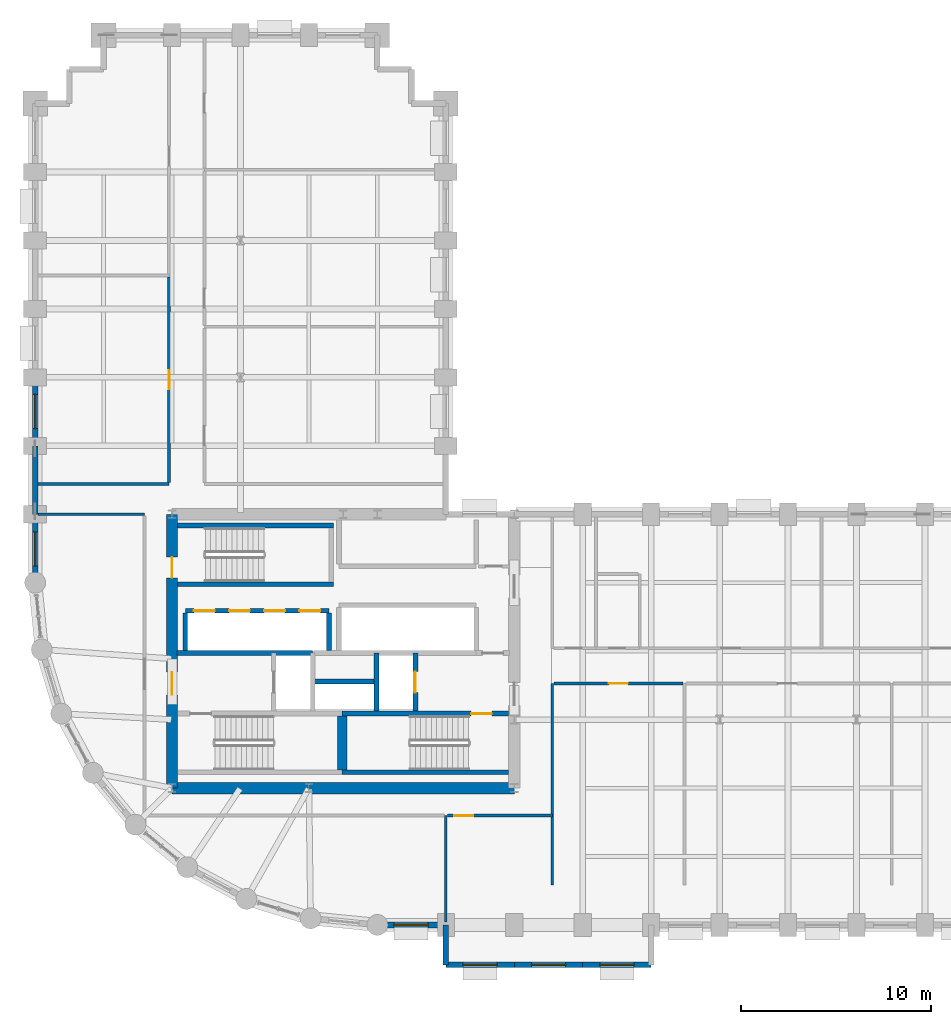
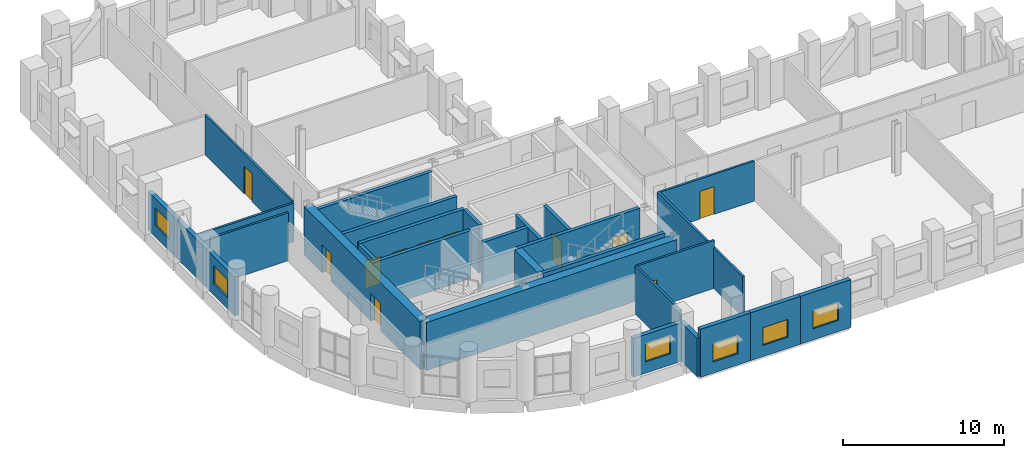
# One storey, part 9 of 14: 29 walls, 11 doors, 6 windows, 17 openings.
"""IFC4 building model written with IfcOpenShell, lengths in metres."""

import ifcopenshell
import ifcopenshell.guid

model = None  # the IFC model being written
_history = None  # IfcOwnerHistory: only IFC2X3 demands one
_inside = {}  # id of a spatial element -> (the spatial element, [elements in it])
_under = {}  # id of a project, library or spatial element -> (it, [spatial elements below it])
_declared = {}  # id of a project -> (the project, [libraries it declares])
_typed = {}  # id of a type object -> (the type object, [elements of that type])
_made_of = {}  # id of a material, layer set ... -> (it, [elements and type objects made of it])


def new_model(schema):
    """Start an empty IFC model of exactly this schema.

    Asked for "IFC4X3", IfcOpenShell would pick the latest addendum, in which some entities
    have other attributes; the version numbers below select the first issue.
    IFC2X3 requires an IfcOwnerHistory on every rooted entity: one is made here for all.
    """
    global model, _history
    if schema == "IFC4X3":
        model = ifcopenshell.file(schema_version=(4, 3, 0, 0))
    else:
        model = ifcopenshell.file(schema=schema)
    _inside.clear()
    _under.clear()
    _declared.clear()
    _typed.clear()
    _made_of.clear()
    _history = None
    if model.schema == "IFC2X3":
        org = make("IfcOrganization", Name="unknown")
        user = make(
            "IfcPersonAndOrganization",
            ThePerson=make("IfcPerson", FamilyName="unknown"),
            TheOrganization=org,
        )
        app = make(
            "IfcApplication",
            ApplicationDeveloper=org,
            Version="unknown",
            ApplicationFullName="unknown",
            ApplicationIdentifier="unknown",
        )
        _history = make(
            "IfcOwnerHistory",
            OwningUser=user,
            OwningApplication=app,
            ChangeAction="ADDED",
            CreationDate=0,
        )
    return model


def make(cls, **values):
    """One entity of the class cls with the attributes given. An attribute that is None is left unset."""
    return model.create_entity(
        cls, **{name: value for name, value in values.items() if value is not None}
    )


def rooted(cls, **values):
    """An entity with a GlobalId (a new one), such as an element, a storey or a relation."""
    return make(cls, GlobalId=ifcopenshell.guid.new(), OwnerHistory=_history, **values)


def si_unit(unit_type, name, prefix=None):
    """IfcSIUnit, for example si_unit("LENGTHUNIT", "METRE", prefix="MILLI")."""
    return make("IfcSIUnit", UnitType=unit_type, Prefix=prefix, Name=name)


def assignment(units):
    """IfcUnitAssignment: the units of a project."""
    return None if units is None else make("IfcUnitAssignment", Units=units)


def point(xyz):
    """IfcCartesianPoint."""
    return None if xyz is None else make("IfcCartesianPoint", Coordinates=xyz)


def direction(xyz):
    """IfcDirection."""
    return None if xyz is None else make("IfcDirection", DirectionRatios=xyz)


def frame(location, z_axis=None, x_axis=None):
    """IfcAxis2Placement3D, a coordinate frame: its origin and axes. An axis left out is left unset."""
    return make(
        "IfcAxis2Placement3D",
        Location=point(location),
        Axis=direction(z_axis),
        RefDirection=direction(x_axis),
    )


def frame_2d(location, x_axis=None):
    """IfcAxis2Placement2D, a coordinate frame in the plane: its origin and x axis."""
    return make(
        "IfcAxis2Placement2D", Location=point(location), RefDirection=direction(x_axis)
    )


def origin():
    """The frame at (0, 0, 0) with its axes left unset."""
    return frame((0.0, 0.0, 0.0))


def place(relative_to, where):
    """IfcLocalPlacement: puts the frame where relative to a parent placement (None: the world)."""
    return make(
        "IfcLocalPlacement", PlacementRelTo=relative_to, RelativePlacement=where
    )


def context(
    kind, dimensions, precision=None, world=None, true_north=None, identifier=None
):
    """IfcGeometricRepresentationContext, for example the 3D "Model" context."""
    return make(
        "IfcGeometricRepresentationContext",
        ContextIdentifier=identifier,
        ContextType=kind,
        CoordinateSpaceDimension=dimensions,
        Precision=precision,
        WorldCoordinateSystem=world,
        TrueNorth=true_north,
    )


def subcontext(parent, identifier, kind, view, scale=None):
    """IfcGeometricRepresentationSubContext, for example "Body" below "Model"."""
    return make(
        "IfcGeometricRepresentationSubContext",
        ContextIdentifier=identifier,
        ContextType=kind,
        ParentContext=parent,
        TargetScale=scale,
        TargetView=view,
    )


def project(units=None, contexts=None):
    """IfcProject with its units and contexts."""
    return rooted(
        "IfcProject",
        Name="project",
        RepresentationContexts=contexts,
        UnitsInContext=assignment(units),
    )


def spatial(cls, under=None, at=None, **own):
    """A site, building, storey or space (cls), placed at a placement, below another one or the project."""
    s = rooted(cls, ObjectPlacement=at, **own)
    if under is not None:
        _under.setdefault(under.id(), (under, []))[1].append(s)
    return s


def profile(cls, at=None, kind="AREA", **sizes):
    """A parametric profile (cls). Its sizes go by their IFC names, for example OverallWidth=200.0."""
    return make(cls, ProfileType=kind, Position=at, **sizes)


def rectangle(**sizes):
    """IfcRectangleProfileDef."""
    return profile("IfcRectangleProfileDef", **sizes)


def extrude(swept, where, along, depth):
    """IfcExtrudedAreaSolid: the profile swept, set in the frame where, extruded along a direction by depth."""
    return make(
        "IfcExtrudedAreaSolid",
        SweptArea=swept,
        Position=where,
        ExtrudedDirection=direction(along),
        Depth=depth,
    )


def shape(context_of_items, identifier, shape_type, items):
    """IfcShapeRepresentation: the items that make up one representation, for example the "Body"."""
    return make(
        "IfcShapeRepresentation",
        ContextOfItems=context_of_items,
        RepresentationIdentifier=identifier,
        RepresentationType=shape_type,
        Items=items,
    )


def material(Name=None, Category=None):
    """IfcMaterial."""
    return make("IfcMaterial", Name=Name, Category=Category)


def layer(
    of_material, thickness, ventilated=None, Name=None, Category=None, Priority=None
):
    """IfcMaterialLayer: one layer of a wall or slab, of a material (None: an air gap)."""
    return make(
        "IfcMaterialLayer",
        Material=of_material,
        LayerThickness=thickness,
        IsVentilated=ventilated,
        Name=Name,
        Category=Category,
        Priority=Priority,
    )


def layer_set(layers, Name=None):
    """IfcMaterialLayerSet."""
    return make("IfcMaterialLayerSet", MaterialLayers=layers, LayerSetName=Name)


def made_of(thing, what):
    """Note that an element or type object is made of a material, layer set ...; save() writes the relation."""
    if what is not None:
        _made_of.setdefault(what.id(), (what, []))[1].append(thing)
    return thing


def type_object(cls, material=None, **own):
    """A type object (cls), such as IfcWallType, which elements share."""
    return made_of(rooted(cls, **own), material)


def element(
    cls,
    number,
    at=None,
    inside=None,
    cuts=None,
    type_object=None,
    material=None,
    context=None,
    identifier="Body",
    shape_type=None,
    held_by="IfcProductDefinitionShape",
    body=None,
    shapes=None,
    **own,
):
    """One element of the class cls, such as IfcWall. Its Tag is "e" and its number.

    at: its placement. inside: the storey or other place that contains it. cuts: it is an
    opening in that element (IfcRelVoidsElement). A single representation is given by context,
    identifier, shape_type and body (its items); several are given by shapes. held_by: the class
    of the entity that holds the representations. save() writes the other relations.
    """
    e = rooted(cls, Tag="e%d" % number, ObjectPlacement=at, **own)
    if body is not None:
        shapes = [shape(context, identifier, shape_type, body)]
    if shapes is not None:
        e.Representation = make(held_by, Representations=shapes)
    if inside is not None:
        _inside.setdefault(inside.id(), (inside, []))[1].append(e)
    if cuts is not None:
        rooted(
            "IfcRelVoidsElement", RelatingBuildingElement=cuts, RelatedOpeningElement=e
        )
    if type_object is not None:
        _typed.setdefault(type_object.id(), (type_object, []))[1].append(e)
    return made_of(e, material)


def fill(opening, filler):
    """IfcRelFillsElement: the door or window that sits in an opening."""
    return rooted(
        "IfcRelFillsElement",
        RelatingOpeningElement=opening,
        RelatedBuildingElement=filler,
    )


def aggregate(whole, parts):
    """IfcRelAggregates: a whole, such as a stair, and the parts it consists of."""
    return rooted("IfcRelAggregates", RelatingObject=whole, RelatedObjects=parts)


def save(model, path):
    """Write the relations noted so far, then the file.

    IfcRelAggregates (storeys below a building ...), IfcRelContainedInSpatialStructure (elements
    in a storey), IfcRelDefinesByType, IfcRelAssociatesMaterial and IfcRelDeclares: one each for
    every whole, place, type object, material and project.
    """
    for whole, parts in _under.values():
        aggregate(whole, parts)
    for where, things in _inside.values():
        rooted(
            "IfcRelContainedInSpatialStructure",
            RelatedElements=things,
            RelatingStructure=where,
        )
    for kind, things in _typed.values():
        rooted("IfcRelDefinesByType", RelatedObjects=things, RelatingType=kind)
    for what, things in _made_of.values():
        rooted("IfcRelAssociatesMaterial", RelatedObjects=things, RelatingMaterial=what)
    for by, libraries in _declared.values():
        rooted("IfcRelDeclares", RelatingContext=by, RelatedDefinitions=libraries)
    model.write(path)


model = new_model("IFC4")

# Units and contexts
model_context = context("Model", 3, precision=1e-05, world=origin(), true_north=direction((0.0, 1.0)))
body_context = subcontext(model_context, "Body", "Model", "MODEL_VIEW")
ifc_project = project(units=[si_unit("LENGTHUNIT", "METRE"), si_unit("AREAUNIT", "SQUARE_METRE"), si_unit("VOLUMEUNIT", "CUBIC_METRE"), si_unit("PLANEANGLEUNIT", "RADIAN"), si_unit("MASSUNIT", "GRAM", prefix="KILO")], contexts=[model_context])

# Site, building, storey
site_placement = place(None, origin())
site = spatial("IfcSite", under=ifc_project, at=site_placement, CompositionType="ELEMENT")
building_placement = place(site_placement, origin())
building = spatial("IfcBuilding", under=site, at=building_placement, Name="Solnavia Interchange Tower", CompositionType="ELEMENT")
storey_placement = place(building_placement, frame((0.0, 0.0, 63.0)))
storey = spatial("IfcBuildingStorey", under=building, at=storey_placement, Name="L15", CompositionType="ELEMENT", Elevation=63.0)

# Wall, opening, window
ifc_material_1 = material(Name="Concrete C40/50", Category="concrete")
ifc_layer_1 = layer(ifc_material_1, 0.300048828125)
ifc_layer_set_1 = layer_set([ifc_layer_1], Name="Concrete C40/50")
wall_type_1 = type_object("IfcWallType", Name="Wall-ExtSpandrel-300", PredefinedType="STANDARD", material=ifc_layer_set_1)
wall_1_placement = place(storey_placement, frame((28.800048828125, 3.60009765625, 0.0), z_axis=(0.0, 0.0, 1.0), x_axis=(-1.0, 0.0, 0.0)))
wall_1 = element("IfcWall", 1, at=wall_1_placement, inside=storey, type_object=wall_type_1, Name="EXW-L15-01 Exterior precast spandrel wall", PredefinedType="STANDARD", context=body_context, shape_type="SweptSolid", body=[
    extrude(rectangle(XDim=3.60009765625, YDim=0.300048828125, at=frame_2d((1.800048828125, 0.0))), origin(), (0.0, 0.0, 1.0), 2.929931640625),
])
opening_1_placement = place(wall_1_placement, frame((0.925048828125, 0.0, 0.85009765625)))
opening_1 = element("IfcOpeningElement", 2, at=opening_1_placement, cuts=wall_1, Name="Opening WIN-02", PredefinedType="OPENING", context=body_context, shape_type="SweptSolid", body=[
    extrude(rectangle(XDim=1.800048828125, YDim=1.35009765625, at=frame_2d((0.89990234375, 0.675048828125))), frame((0.0, 0.16015625, 0.0), z_axis=(0.0, -1.0, 0.0), x_axis=(1.0, 0.0, 0.0)), (0.0, 0.0, 1.0), 0.320068359375),
])
ifc_material_2 = material(Name="Thermal-Break Aluminium & Low-E Glass", Category="aluminium")
window_type = type_object("IfcWindowType", Name="Window-Ribbon-1800x1350", PartitioningType="SINGLE_PANEL", PredefinedType="WINDOW", material=ifc_material_2)
window_1_placement = place(opening_1_placement, origin())
window_1 = element("IfcWindow", 3, at=window_1_placement, inside=storey, type_object=window_type, Name="WIN-L15-01 Facade ribbon window", OverallHeight=1.35009765625, OverallWidth=1.800048828125, PartitioningType="SINGLE_PANEL", PredefinedType="WINDOW", context=body_context, shape_type="SweptSolid", body=[
    extrude(rectangle(XDim=1.800048828125, YDim=1.35009765625, at=frame_2d((0.89990234375, 0.675048828125))), frame((0.0, 0.030029296875, 0.0), z_axis=(0.0, -1.0, 0.0), x_axis=(1.0, 0.0, 0.0)), (0.0, 0.0, 1.0), 0.06005859375),
])
fill(opening_1, window_1)

# Wall
wall_2_placement = place(storey_placement, frame((28.800048828125, 1.5, 0.0), z_axis=(0.0, 0.0, 1.0), x_axis=(0.0, 1.0, 0.0)))
element("IfcWall", 4, at=wall_2_placement, inside=storey, type_object=wall_type_1, Name="EXW-L15-02 Exterior precast spandrel wall", PredefinedType="STANDARD", context=body_context, shape_type="SweptSolid", body=[
    extrude(rectangle(XDim=2.10009765625, YDim=0.300048828125, at=frame_2d((1.050048828125, 0.0))), origin(), (0.0, 0.0, 1.0), 2.929931640625),
])

# Wall, opening, window
wall_3_placement = place(storey_placement, frame((32.39990234375, 1.5, 0.0), z_axis=(0.0, 0.0, 1.0), x_axis=(-1.0, 0.0, 0.0)))
wall_3 = element("IfcWall", 5, at=wall_3_placement, inside=storey, type_object=wall_type_1, Name="EXW-L15-03 Exterior precast spandrel wall", PredefinedType="STANDARD", context=body_context, shape_type="SweptSolid", body=[
    extrude(rectangle(XDim=3.599853515625, YDim=0.300048828125, at=frame_2d((1.7998046875, 0.0))), origin(), (0.0, 0.0, 1.0), 3.635009765625),
])
opening_2_placement = place(wall_3_placement, frame((0.89990234375, 0.0, 0.85009765625)))
opening_2 = element("IfcOpeningElement", 6, at=opening_2_placement, cuts=wall_3, Name="Opening WIN-02", PredefinedType="OPENING", context=body_context, shape_type="SweptSolid", body=[
    extrude(rectangle(XDim=1.800048828125, YDim=1.35009765625, at=frame_2d((0.89990234375, 0.675048828125))), frame((0.0, 0.16015625, 0.0), z_axis=(0.0, -1.0, 0.0), x_axis=(1.0, 0.0, 0.0)), (0.0, 0.0, 1.0), 0.320068359375),
])
window_2_placement = place(opening_2_placement, origin())
window_2 = element("IfcWindow", 7, at=window_2_placement, inside=storey, type_object=window_type, Name="WIN-L15-03 Facade ribbon window", OverallHeight=1.35009765625, OverallWidth=1.800048828125, PartitioningType="SINGLE_PANEL", PredefinedType="WINDOW", context=body_context, shape_type="SweptSolid", body=[
    extrude(rectangle(XDim=1.800048828125, YDim=1.35009765625, at=frame_2d((0.89990234375, 0.675048828125))), frame((0.0, 0.030029296875, 0.0), z_axis=(0.0, -1.0, 0.0), x_axis=(1.0, 0.0, 0.0)), (0.0, 0.0, 1.0), 0.06005859375),
])
fill(opening_2, window_2)

wall_4_placement = place(storey_placement, frame((36.0, 1.5, 0.0), z_axis=(0.0, 0.0, 1.0), x_axis=(-1.0, 0.0, 0.0)))
wall_4 = element("IfcWall", 8, at=wall_4_placement, inside=storey, type_object=wall_type_1, Name="EXW-L15-04 Exterior precast spandrel wall", PredefinedType="STANDARD", context=body_context, shape_type="SweptSolid", body=[
    extrude(rectangle(XDim=3.60009765625, YDim=0.300048828125, at=frame_2d((1.800048828125, 0.0))), origin(), (0.0, 0.0, 1.0), 3.635009765625),
])
opening_3_placement = place(wall_4_placement, frame((0.89990234375, 0.0, 0.85009765625)))
opening_3 = element("IfcOpeningElement", 9, at=opening_3_placement, cuts=wall_4, Name="Opening WIN-02", PredefinedType="OPENING", context=body_context, shape_type="SweptSolid", body=[
    extrude(rectangle(XDim=1.800048828125, YDim=1.35009765625, at=frame_2d((0.89990234375, 0.675048828125))), frame((0.0, 0.16015625, 0.0), z_axis=(0.0, -1.0, 0.0), x_axis=(1.0, 0.0, 0.0)), (0.0, 0.0, 1.0), 0.320068359375),
])
window_3_placement = place(opening_3_placement, origin())
window_3 = element("IfcWindow", 10, at=window_3_placement, inside=storey, type_object=window_type, Name="WIN-L15-04 Facade ribbon window", OverallHeight=1.35009765625, OverallWidth=1.800048828125, PartitioningType="SINGLE_PANEL", PredefinedType="WINDOW", context=body_context, shape_type="SweptSolid", body=[
    extrude(rectangle(XDim=1.800048828125, YDim=1.35009765625, at=frame_2d((0.89990234375, 0.675048828125))), frame((0.0, 0.030029296875, 0.0), z_axis=(0.0, -1.0, 0.0), x_axis=(1.0, 0.0, 0.0)), (0.0, 0.0, 1.0), 0.06005859375),
])
fill(opening_3, window_3)

wall_5_placement = place(storey_placement, frame((39.60009765625, 1.5, 0.0), z_axis=(0.0, 0.0, 1.0), x_axis=(-1.0, 0.0, 0.0)))
wall_5 = element("IfcWall", 11, at=wall_5_placement, inside=storey, type_object=wall_type_1, Name="EXW-L15-05 Exterior precast spandrel wall", PredefinedType="STANDARD", context=body_context, shape_type="SweptSolid", body=[
    extrude(rectangle(XDim=3.60009765625, YDim=0.300048828125, at=frame_2d((1.800048828125, 0.0))), origin(), (0.0, 0.0, 1.0), 3.635009765625),
])
opening_4_placement = place(wall_5_placement, frame((0.89990234375, 0.0, 0.85009765625)))
opening_4 = element("IfcOpeningElement", 12, at=opening_4_placement, cuts=wall_5, Name="Opening WIN-02", PredefinedType="OPENING", context=body_context, shape_type="SweptSolid", body=[
    extrude(rectangle(XDim=1.800048828125, YDim=1.35009765625, at=frame_2d((0.89990234375, 0.675048828125))), frame((0.0, 0.16015625, 0.0), z_axis=(0.0, -1.0, 0.0), x_axis=(1.0, 0.0, 0.0)), (0.0, 0.0, 1.0), 0.320068359375),
])
window_4_placement = place(opening_4_placement, origin())
window_4 = element("IfcWindow", 13, at=window_4_placement, inside=storey, type_object=window_type, Name="WIN-L15-05 Facade ribbon window", OverallHeight=1.35009765625, OverallWidth=1.800048828125, PartitioningType="SINGLE_PANEL", PredefinedType="WINDOW", context=body_context, shape_type="SweptSolid", body=[
    extrude(rectangle(XDim=1.800048828125, YDim=1.35009765625, at=frame_2d((0.89990234375, 0.675048828125))), frame((0.0, 0.030029296875, 0.0), z_axis=(0.0, -1.0, 0.0), x_axis=(1.0, 0.0, 0.0)), (0.0, 0.0, 1.0), 0.06005859375),
])
fill(opening_4, window_4)

wall_6_placement = place(storey_placement, frame((7.199951171875, 28.800048828125, 0.0), z_axis=(0.0, 0.0, 1.0), x_axis=(0.0, 1.0, 0.0)))
wall_6 = element("IfcWall", 14, at=wall_6_placement, inside=storey, type_object=wall_type_1, Name="EXW-L15-54 Exterior precast spandrel wall", PredefinedType="STANDARD", context=body_context, shape_type="SweptSolid", body=[
    extrude(rectangle(XDim=3.599853515625, YDim=0.300048828125, at=frame_2d((1.7998046875, 0.0))), origin(), (0.0, 0.0, 1.0), 2.929931640625),
])
opening_5_placement = place(wall_6_placement, frame((0.89990234375, 0.0, 0.85009765625)))
opening_5 = element("IfcOpeningElement", 15, at=opening_5_placement, cuts=wall_6, Name="Opening WIN-02", PredefinedType="OPENING", context=body_context, shape_type="SweptSolid", body=[
    extrude(rectangle(XDim=1.800048828125, YDim=1.35009765625, at=frame_2d((0.89990234375, 0.675048828125))), frame((0.0, 0.16015625, 0.0), z_axis=(0.0, -1.0, 0.0), x_axis=(1.0, 0.0, 0.0)), (0.0, 0.0, 1.0), 0.320068359375),
])
window_5_placement = place(opening_5_placement, origin())
window_5 = element("IfcWindow", 16, at=window_5_placement, inside=storey, type_object=window_type, Name="WIN-L15-54 Facade ribbon window", OverallHeight=1.35009765625, OverallWidth=1.800048828125, PartitioningType="SINGLE_PANEL", PredefinedType="WINDOW", context=body_context, shape_type="SweptSolid", body=[
    extrude(rectangle(XDim=1.800048828125, YDim=1.35009765625, at=frame_2d((0.89990234375, 0.675048828125))), frame((0.0, 0.030029296875, 0.0), z_axis=(0.0, -1.0, 0.0), x_axis=(1.0, 0.0, 0.0)), (0.0, 0.0, 1.0), 0.06005859375),
])
fill(opening_5, window_5)

# Wall
wall_7_placement = place(storey_placement, frame((7.199951171875, 25.199951171875, 0.0), z_axis=(0.0, 0.0, 1.0), x_axis=(0.0, 1.0, 0.0)))
element("IfcWall", 17, at=wall_7_placement, inside=storey, type_object=wall_type_1, Name="EXW-L15-55 Exterior precast spandrel wall", PredefinedType="STANDARD", context=body_context, shape_type="SweptSolid", body=[
    extrude(rectangle(XDim=3.60009765625, YDim=0.300048828125, at=frame_2d((1.800048828125, 0.0))), origin(), (0.0, 0.0, 1.0), 2.929931640625),
])

# Wall, opening, window
wall_8_placement = place(storey_placement, frame((7.199951171875, 21.60009765625, 0.0), z_axis=(0.0, 0.0, 1.0), x_axis=(0.0, 1.0, 0.0)))
wall_8 = element("IfcWall", 18, at=wall_8_placement, inside=storey, type_object=wall_type_1, Name="EXW-L15-56 Exterior precast spandrel wall", PredefinedType="STANDARD", context=body_context, shape_type="SweptSolid", body=[
    extrude(rectangle(XDim=3.599853515625, YDim=0.300048828125, at=frame_2d((1.7998046875, 0.0))), origin(), (0.0, 0.0, 1.0), 2.929931640625),
])
opening_6_placement = place(wall_8_placement, frame((0.875, 0.0, 0.85009765625)))
opening_6 = element("IfcOpeningElement", 19, at=opening_6_placement, cuts=wall_8, Name="Opening WIN-02", PredefinedType="OPENING", context=body_context, shape_type="SweptSolid", body=[
    extrude(rectangle(XDim=1.800048828125, YDim=1.35009765625, at=frame_2d((0.89990234375, 0.675048828125))), frame((0.0, 0.16015625, 0.0), z_axis=(0.0, -1.0, 0.0), x_axis=(1.0, 0.0, 0.0)), (0.0, 0.0, 1.0), 0.320068359375),
])
window_6_placement = place(opening_6_placement, origin())
window_6 = element("IfcWindow", 20, at=window_6_placement, inside=storey, type_object=window_type, Name="WIN-L15-56 Facade ribbon window", OverallHeight=1.35009765625, OverallWidth=1.800048828125, PartitioningType="SINGLE_PANEL", PredefinedType="WINDOW", context=body_context, shape_type="SweptSolid", body=[
    extrude(rectangle(XDim=1.800048828125, YDim=1.35009765625, at=frame_2d((0.89990234375, 0.675048828125))), frame((0.0, 0.030029296875, 0.0), z_axis=(0.0, -1.0, 0.0), x_axis=(1.0, 0.0, 0.0)), (0.0, 0.0, 1.0), 0.06005859375),
])
fill(opening_6, window_6)

# Walls
ifc_material_3 = material(Name="Gypsum Plasterboard & Steel Stud", Category="steel")
ifc_layer_2 = layer(ifc_material_3, 0.14990234375)
ifc_layer_set_2 = layer_set([ifc_layer_2], Name="Gypsum Plasterboard & Steel Stud")
wall_type_2 = type_object("IfcWallType", Name="Wall-Partition-150", PredefinedType="PARTITIONING", material=ifc_layer_set_2)
wall_9_placement = place(storey_placement, frame((7.35400390625, 25.199951171875, 0.0), z_axis=(0.0, 0.0, 1.0), x_axis=(1.0, 0.0, 0.0)))
element("IfcWall", 21, at=wall_9_placement, inside=storey, type_object=wall_type_2, Name="PTW-L15-07 Interior partition wall", PredefinedType="PARTITIONING", context=body_context, shape_type="SweptSolid", body=[
    extrude(rectangle(XDim=5.595947265625, YDim=0.14990234375, at=frame_2d((2.7978515625, 0.0))), origin(), (0.0, 0.0, 1.0), 3.635009765625),
])
wall_10_placement = place(storey_placement, frame((28.800048828125, 9.35009765625, 0.0), z_axis=(0.0, 0.0, 1.0), x_axis=(0.0, -1.0, 0.0)))
element("IfcWall", 22, at=wall_10_placement, inside=storey, type_object=wall_type_2, Name="PTW-L15-08 Interior partition wall", PredefinedType="PARTITIONING", context=body_context, shape_type="SweptSolid", body=[
    extrude(rectangle(XDim=5.59619140625, YDim=0.14990234375, at=frame_2d((2.798095703125, 0.0))), origin(), (0.0, 0.0, 1.0), 3.635009765625),
])

# Wall, opening, door
wall_11_placement = place(storey_placement, frame((28.87890625, 9.35009765625, 0.0), z_axis=(0.0, 0.0, 1.0), x_axis=(1.0, 0.0, 0.0)))
wall_11 = element("IfcWall", 23, at=wall_11_placement, inside=storey, type_object=wall_type_2, Name="PTW-L15-11 Interior partition wall", PredefinedType="PARTITIONING", context=body_context, shape_type="SweptSolid", body=[
    extrude(rectangle(XDim=5.52099609375, YDim=0.14990234375, at=frame_2d((2.760498046875, 0.0))), origin(), (0.0, 0.0, 1.0), 3.635009765625),
])
opening_7_placement = place(wall_11_placement, frame((0.360107421875, 0.0, 0.0)))
opening_7 = element("IfcOpeningElement", 24, at=opening_7_placement, cuts=wall_11, Name="Opening DR-07", PredefinedType="OPENING", context=body_context, shape_type="SweptSolid", body=[
    extrude(rectangle(XDim=1.0, YDim=2.10009765625, at=frame_2d((0.5, 1.050048828125))), frame((0.0, 0.0849609375, 0.0), z_axis=(0.0, -1.0, 0.0), x_axis=(1.0, 0.0, 0.0)), (0.0, 0.0, 1.0), 0.169921875),
])
ifc_material_4 = material(Name="Timber & Acoustic Glazed Office Door", Category="wood")
door_type_1 = type_object("IfcDoorType", Name="Door-Office-1000x2100", OperationType="SINGLE_SWING_RIGHT", PredefinedType="DOOR", material=ifc_material_4)
door_1_placement = place(opening_7_placement, origin())
door_1 = element("IfcDoor", 25, at=door_1_placement, inside=storey, type_object=door_type_1, Name="DR-L15-04 Interior room door", OperationType="SINGLE_SWING_LEFT", OverallHeight=2.10009765625, OverallWidth=1.0, PredefinedType="DOOR", context=body_context, shape_type="SweptSolid", body=[
    extrude(rectangle(XDim=1.0, YDim=2.10009765625, at=frame_2d((0.5, 1.050048828125))), frame((0.0, 0.02490234375, 0.0), z_axis=(0.0, -1.0, 0.0), x_axis=(1.0, 0.0, 0.0)), (0.0, 0.0, 1.0), 0.050048828125),
])
fill(opening_7, door_1)

# Wall
wall_12_placement = place(storey_placement, frame((34.39990234375, 5.699951171875, 0.0), z_axis=(0.0, 0.0, 1.0), x_axis=(0.0, 1.0, 0.0)))
element("IfcWall", 26, at=wall_12_placement, inside=storey, type_object=wall_type_2, Name="PTW-L15-12 Interior partition wall", PredefinedType="PARTITIONING", context=body_context, shape_type="SweptSolid", body=[
    extrude(rectangle(XDim=10.60009765625, YDim=0.14990234375, at=frame_2d((5.300048828125, 0.0))), origin(), (0.0, 0.0, 1.0), 3.080078125),
])

# Wall, opening, door
wall_13_placement = place(storey_placement, frame((34.47900390625, 16.300048828125, 0.0), z_axis=(0.0, 0.0, 1.0), x_axis=(1.0, 0.0, 0.0)))
wall_13 = element("IfcWall", 27, at=wall_13_placement, inside=storey, type_object=wall_type_2, Name="PTW-L15-14 Interior partition wall", PredefinedType="PARTITIONING", context=body_context, shape_type="SweptSolid", body=[
    extrude(rectangle(XDim=6.7919921875, YDim=0.14990234375, at=frame_2d((3.39599609375, 0.0))), origin(), (0.0, 0.0, 1.0), 3.0400390625),
])
opening_8_placement = place(wall_13_placement, frame((2.89599609375, 0.0, 0.0)))
opening_8 = element("IfcOpeningElement", 28, at=opening_8_placement, cuts=wall_13, Name="Opening DR-07", PredefinedType="OPENING", context=body_context, shape_type="SweptSolid", body=[
    extrude(rectangle(XDim=1.0, YDim=2.10009765625, at=frame_2d((0.5, 1.050048828125))), frame((0.0, 0.0849609375, 0.0), z_axis=(0.0, -1.0, 0.0), x_axis=(1.0, 0.0, 0.0)), (0.0, 0.0, 1.0), 0.169921875),
])
door_2_placement = place(opening_8_placement, origin())
door_2 = element("IfcDoor", 29, at=door_2_placement, inside=storey, type_object=door_type_1, Name="DR-L15-05 Interior room door", OperationType="SINGLE_SWING_LEFT", OverallHeight=2.10009765625, OverallWidth=1.0, PredefinedType="DOOR", context=body_context, shape_type="SweptSolid", body=[
    extrude(rectangle(XDim=1.0, YDim=2.10009765625, at=frame_2d((0.5, 1.050048828125))), frame((0.0, 0.02490234375, 0.0), z_axis=(0.0, -1.0, 0.0), x_axis=(1.0, 0.0, 0.0)), (0.0, 0.0, 1.0), 0.050048828125),
])
fill(opening_8, door_2)

# Wall
wall_14_placement = place(storey_placement, frame((7.35400390625, 26.800048828125, 0.0), z_axis=(0.0, 0.0, 1.0), x_axis=(1.0, 0.0, 0.0)))
element("IfcWall", 30, at=wall_14_placement, inside=storey, type_object=wall_type_2, Name="PTW-L15-21 Interior partition wall", PredefinedType="PARTITIONING", context=body_context, shape_type="SweptSolid", body=[
    extrude(rectangle(XDim=6.89599609375, YDim=0.14990234375, at=frame_2d((3.447998046875, 0.0))), origin(), (0.0, 0.0, 1.0), 2.929931640625),
])

# Wall, opening, door
wall_15_placement = place(storey_placement, frame((14.25, 26.87890625, 0.0), z_axis=(0.0, 0.0, 1.0), x_axis=(0.0, 1.0, 0.0)))
wall_15 = element("IfcWall", 31, at=wall_15_placement, inside=storey, type_object=wall_type_2, Name="PTW-L15-23 Interior partition wall", PredefinedType="PARTITIONING", context=body_context, shape_type="SweptSolid", body=[
    extrude(rectangle(XDim=10.7919921875, YDim=0.14990234375, at=frame_2d((5.39599609375, 0.0))), origin(), (0.0, 0.0, 1.0), 3.030029296875),
])
opening_9_placement = place(wall_15_placement, frame((4.89599609375, 0.0, 0.0)))
opening_9 = element("IfcOpeningElement", 32, at=opening_9_placement, cuts=wall_15, Name="Opening DR-07", PredefinedType="OPENING", context=body_context, shape_type="SweptSolid", body=[
    extrude(rectangle(XDim=1.0, YDim=2.10009765625, at=frame_2d((0.5, 1.050048828125))), frame((0.0, 0.0849609375, 0.0), z_axis=(0.0, -1.0, 0.0), x_axis=(1.0, 0.0, 0.0)), (0.0, 0.0, 1.0), 0.169921875),
])
door_3_placement = place(opening_9_placement, origin())
door_3 = element("IfcDoor", 33, at=door_3_placement, inside=storey, type_object=door_type_1, Name="DR-L15-10 Interior room door", OperationType="SINGLE_SWING_RIGHT", OverallHeight=2.10009765625, OverallWidth=1.0, PredefinedType="DOOR", context=body_context, shape_type="SweptSolid", body=[
    extrude(rectangle(XDim=1.0, YDim=2.10009765625, at=frame_2d((0.5, 1.050048828125))), frame((0.0, 0.02490234375, 0.0), z_axis=(0.0, -1.0, 0.0), x_axis=(1.0, 0.0, 0.0)), (0.0, 0.0, 1.0), 0.050048828125),
])
fill(opening_9, door_3)

# Wall
ifc_layer_3 = layer(ifc_material_1, 0.25)
ifc_layer_set_3 = layer_set([ifc_layer_3], Name="Concrete C40/50")
wall_type_3 = type_object("IfcWallType", Name="Wall-ShaftCore-250", PredefinedType="SHEAR", material=ifc_layer_set_3)
wall_16_placement = place(storey_placement, frame((23.35009765625, 11.625, 0.0), z_axis=(0.0, 0.0, 1.0), x_axis=(1.0, 0.0, 0.0)))
element("IfcWall", 34, at=wall_16_placement, inside=storey, type_object=wall_type_3, Name="SHW-L15-ST2S Core shear wall", PredefinedType="SHEAR", context=body_context, shape_type="SweptSolid", body=[
    extrude(rectangle(XDim=8.75, YDim=0.25, at=frame_2d((4.375, 0.0))), origin(), (0.0, 0.0, 1.0), 3.64990234375),
])

# Wall, opening, door
wall_17_placement = place(storey_placement, frame((23.35009765625, 14.715087890625, 0.0), z_axis=(0.0, 0.0, 1.0), x_axis=(1.0, 0.0, 0.0)))
wall_17 = element("IfcWall", 35, at=wall_17_placement, inside=storey, type_object=wall_type_3, Name="SHW-L15-ST2N Core shear wall", PredefinedType="SHEAR", context=body_context, shape_type="SweptSolid", body=[
    extrude(rectangle(XDim=8.75, YDim=0.25, at=frame_2d((4.375, 0.0))), origin(), (0.0, 0.0, 1.0), 3.64990234375),
])
opening_10_placement = place(wall_17_placement, frame((6.77490234375, 0.0, 0.0)))
opening_10 = element("IfcOpeningElement", 36, at=opening_10_placement, cuts=wall_17, Name="Opening DR-01", PredefinedType="OPENING", context=body_context, shape_type="SweptSolid", body=[
    extrude(rectangle(XDim=1.10009765625, YDim=2.10009765625, at=frame_2d((0.550048828125, 1.050048828125))), frame((0.0, 0.135009765625, 0.0), z_axis=(0.0, -1.0, 0.0), x_axis=(1.0, 0.0, 0.0)), (0.0, 0.0, 1.0), 0.27001953125),
])
ifc_material_5 = material(Name="Steel Fire-Rated Leaf & Frame", Category="steel")
door_type_2 = type_object("IfcDoorType", Name="Door-StairFire-1100x2100", OperationType="SINGLE_SWING_LEFT", PredefinedType="DOOR", material=ifc_material_5)
door_4_placement = place(opening_10_placement, origin())
door_4 = element("IfcDoor", 37, at=door_4_placement, inside=storey, type_object=door_type_2, Name="DR-L15-ST2 Core fire door", OperationType="SINGLE_SWING_LEFT", OverallHeight=2.10009765625, OverallWidth=1.10009765625, PredefinedType="DOOR", context=body_context, shape_type="SweptSolid", body=[
    extrude(rectangle(XDim=1.10009765625, YDim=2.10009765625, at=frame_2d((0.550048828125, 1.050048828125))), frame((0.0, 0.02490234375, 0.0), z_axis=(0.0, -1.0, 0.0), x_axis=(1.0, 0.0, 0.0)), (0.0, 0.0, 1.0), 0.050048828125),
])
fill(opening_10, door_4)

# Walls
for number, where, z_axis, x_axis, name in (
    (38, (14.699951171875, 21.52490234375, 0.0), (0.0, 0.0, 1.0), (1.0, 0.0, 0.0), "SHW-L15-ST3S Core shear wall"),
    (39, (14.699951171875, 24.614990234375, 0.0), (0.0, 0.0, 1.0), (1.0, 0.0, 0.0), "SHW-L15-ST3N Core shear wall"),
):
    element("IfcWall", number, at=place(storey_placement, frame(where, z_axis=z_axis, x_axis=x_axis)), inside=storey, type_object=wall_type_3, Name=name, PredefinedType="SHEAR", context=body_context, shape_type="SweptSolid", body=[
        extrude(rectangle(XDim=8.199951171875, YDim=0.25, at=frame_2d((4.10009765625, 0.0))), origin(), (0.0, 0.0, 1.0), 3.64990234375),
    ])
ifc_layer_4 = layer(ifc_material_1, 0.25)
ifc_layer_set_4 = layer_set([ifc_layer_4], Name="Concrete C40/50")
wall_type_4 = type_object("IfcWallType", Name="Wall-ShaftPart-250", PredefinedType="PARTITIONING", material=ifc_layer_set_4)
wall_18_placement = place(storey_placement, frame((14.64990234375, 17.89990234375, 0.0), z_axis=(0.0, 0.0, 1.0), x_axis=(1.0, 0.0, 0.0)))
element("IfcWall", 40, at=wall_18_placement, inside=storey, type_object=wall_type_4, Name="SHW-L15-FFLW-N Core shaft wall", PredefinedType="PARTITIONING", context=body_context, shape_type="SweptSolid", body=[
    extrude(rectangle(XDim=7.150146484375, YDim=0.25, at=frame_2d((3.5751953125, 0.0))), origin(), (0.0, 0.0, 1.0), 3.635009765625),
])
wall_19_placement = place(storey_placement, frame((25.14990234375, 14.840087890625, 0.0), z_axis=(0.0, 0.0, 1.0), x_axis=(0.0, 1.0, 0.0)))
element("IfcWall", 41, at=wall_19_placement, inside=storey, type_object=wall_type_4, Name="SHW-L15-FFL2-W Core shaft wall", PredefinedType="PARTITIONING", context=body_context, shape_type="SweptSolid", body=[
    extrude(rectangle(XDim=3.059814453125, YDim=0.25, at=frame_2d((1.52978515625, 0.0))), origin(), (0.0, 0.0, 1.0), 3.635009765625),
])

# Wall, opening, door
wall_20_placement = place(storey_placement, frame((27.199951171875, 14.840087890625, 0.0), z_axis=(0.0, 0.0, 1.0), x_axis=(0.0, 1.0, 0.0)))
wall_20 = element("IfcWall", 42, at=wall_20_placement, inside=storey, type_object=wall_type_4, Name="SHW-L15-FFL2-E Core shaft wall", PredefinedType="PARTITIONING", context=body_context, shape_type="SweptSolid", body=[
    extrude(rectangle(XDim=3.059814453125, YDim=0.25, at=frame_2d((1.52978515625, 0.0))), origin(), (0.0, 0.0, 1.0), 3.635009765625),
])
opening_11_placement = place(wall_20_placement, frame((0.97998046875, 0.0, 0.0)))
opening_11 = element("IfcOpeningElement", 43, at=opening_11_placement, cuts=wall_20, Name="Opening LD-01", PredefinedType="OPENING", context=body_context, shape_type="SweptSolid", body=[
    extrude(rectangle(XDim=1.10009765625, YDim=2.10009765625, at=frame_2d((0.550048828125, 1.050048828125))), frame((0.0, 0.135009765625, 0.0), z_axis=(0.0, -1.0, 0.0), x_axis=(1.0, 0.0, 0.0)), (0.0, 0.0, 1.0), 0.27001953125),
])
ifc_material_6 = material(Name="Brushed Stainless Steel Sliding Door", Category="steel")
door_type_3 = type_object("IfcDoorType", Name="Door-LiftLanding-1100x2100", OperationType="SLIDING_TO_LEFT", PredefinedType="DOOR", material=ifc_material_6)
door_5_placement = place(opening_11_placement, origin())
door_5 = element("IfcDoor", 44, at=door_5_placement, inside=storey, type_object=door_type_3, Name="LD-L15-FFL2 Lift landing sliding door", OperationType="SLIDING_TO_LEFT", OverallHeight=2.10009765625, OverallWidth=1.10009765625, PredefinedType="DOOR", context=body_context, shape_type="SweptSolid", body=[
    extrude(rectangle(XDim=1.10009765625, YDim=2.10009765625, at=frame_2d((0.550048828125, 1.050048828125))), frame((0.0, 0.02490234375, 0.0), z_axis=(0.0, -1.0, 0.0), x_axis=(1.0, 0.0, 0.0)), (0.0, 0.0, 1.0), 0.050048828125),
])
fill(opening_11, door_5)

# Wall
wall_21_placement = place(storey_placement, frame((21.800048828125, 16.39990234375, 0.0), z_axis=(0.0, 0.0, 1.0), x_axis=(1.0, 0.0, 0.0)))
element("IfcWall", 45, at=wall_21_placement, inside=storey, type_object=wall_type_4, Name="SHW-L15-MEP-N Core shaft wall", PredefinedType="PARTITIONING", context=body_context, shape_type="SweptSolid", body=[
    extrude(rectangle(XDim=3.349853515625, YDim=0.25, at=frame_2d((1.6748046875, 0.0))), origin(), (0.0, 0.0, 1.0), 3.635009765625),
])

# Wall, openings, doors
wall_22_placement = place(storey_placement, frame((15.10009765625, 20.125, 0.0), z_axis=(0.0, 0.0, 1.0), x_axis=(1.0, 0.0, 0.0)))
wall_22 = element("IfcWall", 46, at=wall_22_placement, inside=storey, type_object=wall_type_4, Name="SHW-L15-B1N Core shaft wall", PredefinedType="PARTITIONING", context=body_context, shape_type="SweptSolid", body=[
    extrude(rectangle(XDim=7.5498046875, YDim=0.25, at=frame_2d((3.77490234375, 0.0))), origin(), (0.0, 0.0, 1.0), 3.635009765625),
])
opening_12_placement = place(wall_22_placement, frame((0.449951171875, 0.0, 0.0)))
opening_12 = element("IfcOpeningElement", 47, at=opening_12_placement, cuts=wall_22, Name="Opening LD-01", PredefinedType="OPENING", context=body_context, shape_type="SweptSolid", body=[
    extrude(rectangle(XDim=1.10009765625, YDim=2.10009765625, at=frame_2d((0.550048828125, 1.050048828125))), frame((0.0, 0.135009765625, 0.0), z_axis=(0.0, -1.0, 0.0), x_axis=(1.0, 0.0, 0.0)), (0.0, 0.0, 1.0), 0.27001953125),
])
opening_13_placement = place(wall_22_placement, frame((2.300048828125, 0.0, 0.0)))
opening_13 = element("IfcOpeningElement", 48, at=opening_13_placement, cuts=wall_22, Name="Opening LD-01", PredefinedType="OPENING", context=body_context, shape_type="SweptSolid", body=[
    extrude(rectangle(XDim=1.10009765625, YDim=2.10009765625, at=frame_2d((0.550048828125, 1.050048828125))), frame((0.0, 0.135009765625, 0.0), z_axis=(0.0, -1.0, 0.0), x_axis=(1.0, 0.0, 0.0)), (0.0, 0.0, 1.0), 0.27001953125),
])
opening_14_placement = place(wall_22_placement, frame((4.14990234375, 0.0, 0.0)))
opening_14 = element("IfcOpeningElement", 49, at=opening_14_placement, cuts=wall_22, Name="Opening LD-01", PredefinedType="OPENING", context=body_context, shape_type="SweptSolid", body=[
    extrude(rectangle(XDim=1.10009765625, YDim=2.10009765625, at=frame_2d((0.550048828125, 1.050048828125))), frame((0.0, 0.135009765625, 0.0), z_axis=(0.0, -1.0, 0.0), x_axis=(1.0, 0.0, 0.0)), (0.0, 0.0, 1.0), 0.27001953125),
])
opening_15_placement = place(wall_22_placement, frame((6.0, 0.0, 0.0)))
opening_15 = element("IfcOpeningElement", 50, at=opening_15_placement, cuts=wall_22, Name="Opening LD-01", PredefinedType="OPENING", context=body_context, shape_type="SweptSolid", body=[
    extrude(rectangle(XDim=1.10009765625, YDim=2.10009765625, at=frame_2d((0.550048828125, 1.050048828125))), frame((0.0, 0.135009765625, 0.0), z_axis=(0.0, -1.0, 0.0), x_axis=(1.0, 0.0, 0.0)), (0.0, 0.0, 1.0), 0.27001953125),
])
door_6_placement = place(opening_12_placement, origin())
door_6 = element("IfcDoor", 51, at=door_6_placement, inside=storey, type_object=door_type_3, Name="LD-L15-B1-1 Lift landing sliding door", OperationType="SLIDING_TO_LEFT", OverallHeight=2.10009765625, OverallWidth=1.10009765625, PredefinedType="DOOR", context=body_context, shape_type="SweptSolid", body=[
    extrude(rectangle(XDim=1.10009765625, YDim=2.10009765625, at=frame_2d((0.550048828125, 1.050048828125))), frame((0.0, 0.02490234375, 0.0), z_axis=(0.0, -1.0, 0.0), x_axis=(1.0, 0.0, 0.0)), (0.0, 0.0, 1.0), 0.050048828125),
])
fill(opening_12, door_6)
door_7_placement = place(opening_13_placement, origin())
door_7 = element("IfcDoor", 52, at=door_7_placement, inside=storey, type_object=door_type_3, Name="LD-L15-B1-2 Lift landing sliding door", OperationType="SLIDING_TO_LEFT", OverallHeight=2.10009765625, OverallWidth=1.10009765625, PredefinedType="DOOR", context=body_context, shape_type="SweptSolid", body=[
    extrude(rectangle(XDim=1.10009765625, YDim=2.10009765625, at=frame_2d((0.550048828125, 1.050048828125))), frame((0.0, 0.02490234375, 0.0), z_axis=(0.0, -1.0, 0.0), x_axis=(1.0, 0.0, 0.0)), (0.0, 0.0, 1.0), 0.050048828125),
])
fill(opening_13, door_7)
door_8_placement = place(opening_14_placement, origin())
door_8 = element("IfcDoor", 53, at=door_8_placement, inside=storey, type_object=door_type_3, Name="LD-L15-B1-3 Lift landing sliding door", OperationType="SLIDING_TO_LEFT", OverallHeight=2.10009765625, OverallWidth=1.10009765625, PredefinedType="DOOR", context=body_context, shape_type="SweptSolid", body=[
    extrude(rectangle(XDim=1.10009765625, YDim=2.10009765625, at=frame_2d((0.550048828125, 1.050048828125))), frame((0.0, 0.02490234375, 0.0), z_axis=(0.0, -1.0, 0.0), x_axis=(1.0, 0.0, 0.0)), (0.0, 0.0, 1.0), 0.050048828125),
])
fill(opening_14, door_8)
door_9_placement = place(opening_15_placement, origin())
door_9 = element("IfcDoor", 54, at=door_9_placement, inside=storey, type_object=door_type_3, Name="LD-L15-B1-4 Lift landing sliding door", OperationType="SLIDING_TO_LEFT", OverallHeight=2.10009765625, OverallWidth=1.10009765625, PredefinedType="DOOR", context=body_context, shape_type="SweptSolid", body=[
    extrude(rectangle(XDim=1.10009765625, YDim=2.10009765625, at=frame_2d((0.550048828125, 1.050048828125))), frame((0.0, 0.02490234375, 0.0), z_axis=(0.0, -1.0, 0.0), x_axis=(1.0, 0.0, 0.0)), (0.0, 0.0, 1.0), 0.050048828125),
])
fill(opening_15, door_9)

# Walls
for number, where, z_axis, x_axis, name in (
    (55, (15.10009765625, 18.02490234375, 0.0), (0.0, 0.0, 1.0), (0.0, 1.0, 0.0), "SHW-L15-B1W Core shaft wall"),
    (56, (22.64990234375, 18.02490234375, 0.0), (0.0, 0.0, 1.0), (0.0, 1.0, 0.0), "SHW-L15-B1E Core shaft wall"),
):
    element("IfcWall", number, at=place(storey_placement, frame(where, z_axis=z_axis, x_axis=x_axis)), inside=storey, type_object=wall_type_4, Name=name, PredefinedType="PARTITIONING", context=body_context, shape_type="SweptSolid", body=[
        extrude(rectangle(XDim=1.97509765625, YDim=0.25, at=frame_2d((0.987548828125, 0.0))), origin(), (0.0, 0.0, 1.0), 3.635009765625),
    ])
ifc_material_7 = material(Name="Concrete C60/75", Category="concrete")
ifc_layer_5 = layer(ifc_material_7, 0.5)
ifc_layer_set_5 = layer_set([ifc_layer_5], Name="Concrete C60/75")
wall_type_5 = type_object("IfcWallType", Name="Wall-ShearCore-500", PredefinedType="SHEAR", material=ifc_layer_set_5)
wall_23_placement = place(storey_placement, frame((23.35009765625, 11.75, 0.0), z_axis=(0.0, 0.0, 1.0), x_axis=(0.0, 1.0, 0.0)))
element("IfcWall", 57, at=wall_23_placement, inside=storey, type_object=wall_type_5, Name="SHW-L15-ST12M Core shear wall", PredefinedType="SHEAR", context=body_context, shape_type="SweptSolid", body=[
    extrude(rectangle(XDim=2.840087890625, YDim=0.5, at=frame_2d((1.419921875, 0.0))), origin(), (0.0, 0.0, 1.0), 3.64990234375),
])
ifc_layer_6 = layer(ifc_material_7, 0.60009765625)
ifc_layer_set_6 = layer_set([ifc_layer_6], Name="Concrete C60/75")
wall_type_6 = type_object("IfcWallType", Name="Wall-ShearCore-600", PredefinedType="SHEAR", material=ifc_layer_set_6)
wall_24_placement = place(storey_placement, frame((14.39990234375, 10.800048828125, 0.0), z_axis=(0.0, 0.0, 1.0), x_axis=(1.0, 0.0, 0.0)))
element("IfcWall", 58, at=wall_24_placement, inside=storey, type_object=wall_type_6, Name="CRW-L15-S Core shear wall", PredefinedType="SHEAR", context=body_context, shape_type="SweptSolid", body=[
    extrude(rectangle(XDim=18.0, YDim=0.60009765625, at=frame_2d((9.0, 0.0))), origin(), (0.0, 0.0, 1.0), 3.64990234375),
])

# Wall, openings, doors
wall_25_placement = place(storey_placement, frame((14.39990234375, 10.800048828125, 0.0), z_axis=(0.0, 0.0, 1.0), x_axis=(0.0, 1.0, 0.0)))
wall_25 = element("IfcWall", 59, at=wall_25_placement, inside=storey, type_object=wall_type_6, Name="CRW-L15-W Core shear wall", PredefinedType="SHEAR", context=body_context, shape_type="SweptSolid", body=[
    extrude(rectangle(XDim=14.39990234375, YDim=0.60009765625, at=frame_2d((7.199951171875, 0.0))), origin(), (0.0, 0.0, 1.0), 3.64990234375),
])
opening_16_placement = place(wall_25_placement, frame((11.050048828125, 0.0, 0.0)))
opening_16 = element("IfcOpeningElement", 60, at=opening_16_placement, cuts=wall_25, Name="Opening DR-01", PredefinedType="OPENING", context=body_context, shape_type="SweptSolid", body=[
    extrude(rectangle(XDim=1.10009765625, YDim=2.10009765625, at=frame_2d((0.550048828125, 1.050048828125))), frame((0.0, 0.31005859375, 0.0), z_axis=(0.0, -1.0, 0.0), x_axis=(1.0, 0.0, 0.0)), (0.0, 0.0, 1.0), 0.6201171875),
])
opening_17_placement = place(wall_25_placement, frame((4.89990234375, 0.0, 0.0)))
opening_17 = element("IfcOpeningElement", 61, at=opening_17_placement, cuts=wall_25, Name="Opening DR-02", PredefinedType="OPENING", context=body_context, shape_type="SweptSolid", body=[
    extrude(rectangle(XDim=1.199951171875, YDim=2.10009765625, at=frame_2d((0.60009765625, 1.050048828125))), frame((0.0, 0.31005859375, 0.0), z_axis=(0.0, -1.0, 0.0), x_axis=(1.0, 0.0, 0.0)), (0.0, 0.0, 1.0), 0.6201171875),
])
ifc_material_8 = material(Name="Steel Fire-Rated Vision-Panel Door", Category="steel")
door_type_4 = type_object("IfcDoorType", Name="Door-LobbyFire-1200x2100", OperationType="SINGLE_SWING_RIGHT", PredefinedType="DOOR", material=ifc_material_8)
door_10_placement = place(opening_17_placement, origin())
door_10 = element("IfcDoor", 62, at=door_10_placement, inside=storey, type_object=door_type_4, Name="DR-L15-FFL1W Core fire door", OperationType="SINGLE_SWING_RIGHT", OverallHeight=2.10009765625, OverallWidth=1.199951171875, PredefinedType="DOOR", context=body_context, shape_type="SweptSolid", body=[
    extrude(rectangle(XDim=1.199951171875, YDim=2.10009765625, at=frame_2d((0.60009765625, 1.050048828125))), frame((0.0, 0.02490234375, 0.0), z_axis=(0.0, -1.0, 0.0), x_axis=(1.0, 0.0, 0.0)), (0.0, 0.0, 1.0), 0.050048828125),
])
fill(opening_17, door_10)
door_11_placement = place(opening_16_placement, origin())
door_11 = element("IfcDoor", 63, at=door_11_placement, inside=storey, type_object=door_type_2, Name="DR-L15-ST3 Core fire door", OperationType="SINGLE_SWING_RIGHT", OverallHeight=2.10009765625, OverallWidth=1.10009765625, PredefinedType="DOOR", context=body_context, shape_type="SweptSolid", body=[
    extrude(rectangle(XDim=1.10009765625, YDim=2.10009765625, at=frame_2d((0.550048828125, 1.050048828125))), frame((0.0, 0.02490234375, 0.0), z_axis=(0.0, -1.0, 0.0), x_axis=(1.0, 0.0, 0.0)), (0.0, 0.0, 1.0), 0.050048828125),
])
fill(opening_16, door_11)

save(model, "model.ifc")
